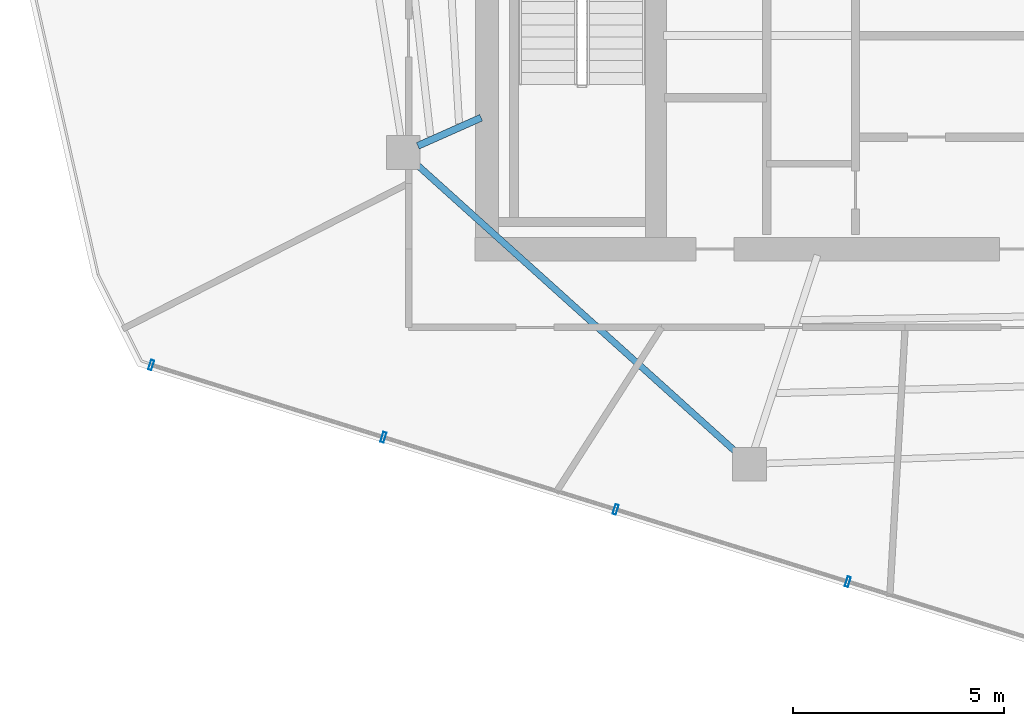
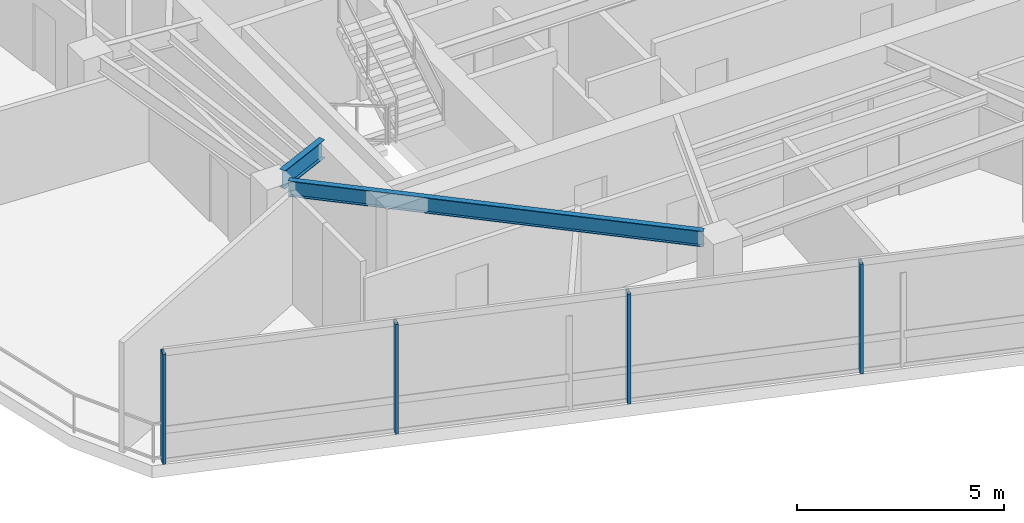
# One storey, part 2 of 19: 4 members, 2 beams, 1 element without a shape of its own.
"""IFC4 building model written with IfcOpenShell, lengths in metres."""

from ifc_helpers import new_model, si_unit, direction, frame, origin, origin_2d, place, context, subcontext, project, spatial, hollow_rectangle, i_section, extrude, material, layer, layer_set, material_profile, profile_set, type_object, element, aggregate, save


model = new_model("IFC4")

# Units and contexts
model_context = context("Model", 3, precision=1e-05, world=origin(), true_north=direction((0.0, 1.0)))
body_context = subcontext(model_context, "Body", "Model", "MODEL_VIEW")
ifc_project = project(units=[si_unit("LENGTHUNIT", "METRE"), si_unit("AREAUNIT", "SQUARE_METRE"), si_unit("VOLUMEUNIT", "CUBIC_METRE"), si_unit("PLANEANGLEUNIT", "RADIAN"), si_unit("MASSUNIT", "GRAM", prefix="KILO")], contexts=[model_context])

# Site, building, storey
site_placement = place(None, origin())
site = spatial("IfcSite", under=ifc_project, at=site_placement, CompositionType="ELEMENT")
building_placement = place(site_placement, origin())
building = spatial("IfcBuilding", under=site, at=building_placement, Name="Qarnah Convention Tower", CompositionType="ELEMENT")
storey_placement = place(building_placement, frame((0.0, 0.0, 228.300048828125)))
storey = spatial("IfcBuildingStorey", under=building, at=storey_placement, Name="L61", CompositionType="ELEMENT", Elevation=228.300048828125)

# Beams
ifc_material_1 = material(Name="Structural steel S355JR", Category="steel")
ifc_material_profile_1 = material_profile(ifc_material_1, i_section(OverallWidth=0.166015625, OverallDepth=0.535888671875, WebThickness=0.010009765625, FlangeThickness=0.01708984375, at=origin_2d()), Name="W530X85")
ifc_profile_set_1 = profile_set([ifc_material_profile_1], Name="Structural steel S355JR")
beam_type_1 = type_object("IfcBeamType", Name="BM-RAD-W530B", PredefinedType="BEAM", material=ifc_profile_set_1)
beam_1_placement = place(storey_placement, frame((26.6630859375, 21.708984375, 2.971923828125), z_axis=(-0.913688456795, -0.406415309652, 0.0), x_axis=(0.406415309652, -0.913688456795, 0.0)))
element("IfcBeam", 1, at=beam_1_placement, inside=storey, type_object=beam_type_1, Name="L61 beam BM-L61-RAD-06", PredefinedType="BEAM", context=body_context, shape_type="SweptSolid", body=[
    extrude(i_section(OverallWidth=0.166015625, OverallDepth=0.535888671875, WebThickness=0.010009765625, FlangeThickness=0.01708984375, at=origin_2d()), origin(), (0.0, 0.0, 1.0), 1.636474609375),
])
ifc_material_profile_2 = material_profile(ifc_material_1, i_section(OverallWidth=0.154052734375, OverallDepth=0.4599609375, WebThickness=0.009033203125, FlangeThickness=0.014892578125, at=origin_2d()), Name="W460X68")
ifc_profile_set_2 = profile_set([ifc_material_profile_2], Name="Structural steel S355JR")
beam_type_2 = type_object("IfcBeamType", Name="BM-SPN-W460B", PredefinedType="SPANDREL", material=ifc_profile_set_2)
beam_2_placement = place(storey_placement, frame((25.111083984375, 20.6279296875, 3.010009765625), z_axis=(0.743130570512, -0.669146437762, 0.0), x_axis=(0.669146437762, 0.743130570512, 0.0)))
element("IfcBeam", 2, at=beam_2_placement, inside=storey, type_object=beam_type_2, Name="L61 spandrel BM-L61-SPN-06", PredefinedType="SPANDREL", context=body_context, shape_type="SweptSolid", body=[
    extrude(i_section(OverallWidth=0.154052734375, OverallDepth=0.4599609375, WebThickness=0.009033203125, FlangeThickness=0.014892578125, at=origin_2d()), origin(), (0.0, 0.0, 1.0), 10.242919921875),
])

# Curtain wall, members
ifc_material_2 = material(Name="Tempered Low-E dark glass", Category="glass")
ifc_layer = layer(ifc_material_2, 0.176025390625)
ifc_layer_set = layer_set([ifc_layer], Name="Tempered Low-E dark glass")
curtain_wall_type = type_object("IfcCurtainWallType", Name="CWS-05", PredefinedType="NOTDEFINED", material=ifc_layer_set)
curtain_wall_placement = place(storey_placement, origin())
curtain_wall = element("IfcCurtainWall", 3, at=curtain_wall_placement, inside=storey, type_object=curtain_wall_type, Name="L61 unitised curtain wall CW-L61-F3", PredefinedType="NOTDEFINED")
ifc_material_3 = material(Name="Black anodised aluminium", Category="aluminium")
ifc_material_profile_3 = material_profile(ifc_material_3, hollow_rectangle(XDim=0.080078125, YDim=0.239990234375, WallThickness=0.0048828125, at=origin_2d()), Name="MUL-80X240")
ifc_profile_set_3 = profile_set([ifc_material_profile_3], Name="Black anodised aluminium")
member_type = type_object("IfcMemberType", Name="MUL-T5", PredefinedType="MULLION", material=ifc_profile_set_3)
member_1_placement = place(storey_placement, frame((35.33837890625, 10.733154296875, 0.0), z_axis=(0.0, 0.0, 1.0), x_axis=(-0.954870143679, 0.297023582752, 0.0)))
member_1 = element("IfcMember", 4, at=member_1_placement, type_object=member_type, Name="CW-L61-F3 mullion 3", PredefinedType="MULLION", context=body_context, shape_type="SweptSolid", body=[
    extrude(hollow_rectangle(XDim=0.080078125, YDim=0.239990234375, WallThickness=0.0048828125, at=origin_2d()), origin(), (0.0, 0.0, 1.0), 3.239990234375),
])
member_2_placement = place(storey_placement, frame((29.845703125, 12.44189453125, 0.0), z_axis=(0.0, 0.0, 1.0), x_axis=(-0.954870143679, 0.297023582752, 0.0)))
member_2 = element("IfcMember", 5, at=member_2_placement, type_object=member_type, Name="CW-L61-F3 mullion 4", PredefinedType="MULLION", context=body_context, shape_type="SweptSolid", body=[
    extrude(hollow_rectangle(XDim=0.080078125, YDim=0.239990234375, WallThickness=0.0048828125, at=origin_2d()), origin(), (0.0, 0.0, 1.0), 3.239990234375),
])
member_3_placement = place(storey_placement, frame((24.352783203125, 14.150390625, 0.0), z_axis=(0.0, 0.0, 1.0), x_axis=(-0.954870143679, 0.297023582752, 0.0)))
member_3 = element("IfcMember", 6, at=member_3_placement, type_object=member_type, Name="CW-L61-F3 mullion 5", PredefinedType="MULLION", context=body_context, shape_type="SweptSolid", body=[
    extrude(hollow_rectangle(XDim=0.080078125, YDim=0.239990234375, WallThickness=0.0048828125, at=origin_2d()), origin(), (0.0, 0.0, 1.0), 3.239990234375),
])
member_4_placement = place(storey_placement, frame((18.860107421875, 15.85888671875, 0.0), z_axis=(0.0, 0.0, 1.0), x_axis=(-0.954870143679, 0.297023582752, 0.0)))
member_4 = element("IfcMember", 7, at=member_4_placement, type_object=member_type, Name="CW-L61-F3 mullion 6", PredefinedType="MULLION", context=body_context, shape_type="SweptSolid", body=[
    extrude(hollow_rectangle(XDim=0.080078125, YDim=0.239990234375, WallThickness=0.0048828125, at=origin_2d()), origin(), (0.0, 0.0, 1.0), 3.239990234375),
])
aggregate(curtain_wall, [member_1, member_2, member_3, member_4])

save(model, "model.ifc")
